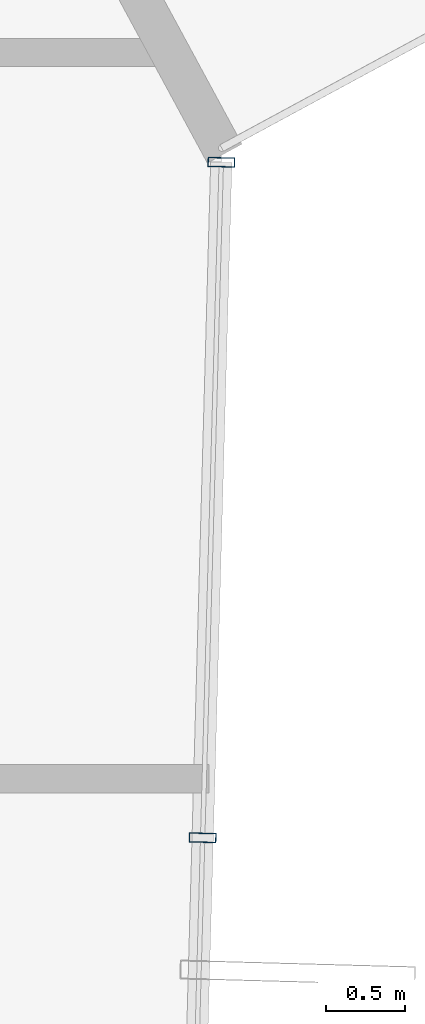
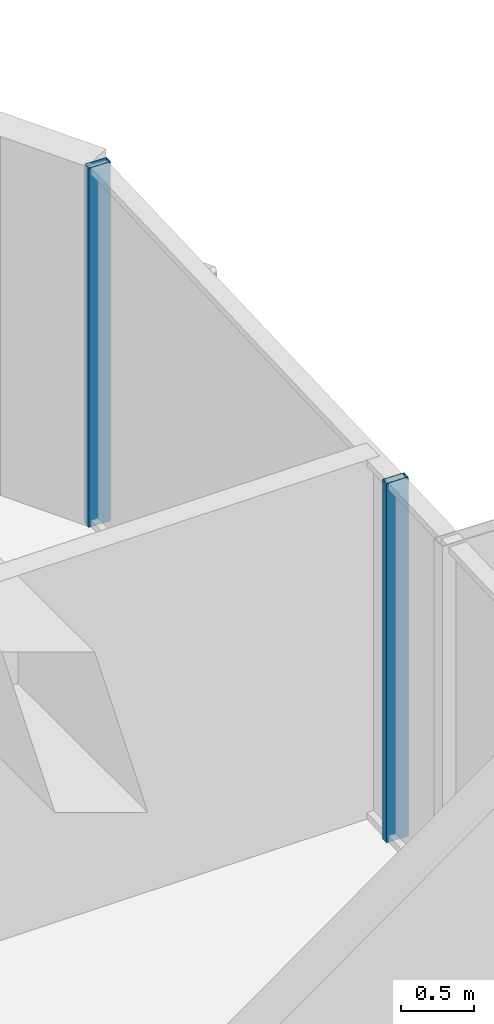
# One storey, part 16 of 30: 2 members, 1 element without a shape of its own.
"""IFC4 building model written with IfcOpenShell, lengths in metres."""

from ifc_helpers import new_model, si_unit, direction, frame, origin, origin_2d, place, context, subcontext, project, spatial, hollow_rectangle, extrude, source, transform, mapped, material, layer, layer_set, material_profile, profile_set, type_object, element, aggregate, save


model = new_model("IFC4")

# Units and contexts
model_context = context("Model", 3, precision=1e-05, world=origin(), true_north=direction((0.0, 1.0)))
body_context = subcontext(model_context, "Body", "Model", "MODEL_VIEW")
ifc_project = project(units=[si_unit("LENGTHUNIT", "METRE"), si_unit("AREAUNIT", "SQUARE_METRE"), si_unit("VOLUMEUNIT", "CUBIC_METRE"), si_unit("PLANEANGLEUNIT", "RADIAN"), si_unit("MASSUNIT", "GRAM", prefix="KILO")], contexts=[model_context])

# Site, building, storey
site_placement = place(None, origin())
site = spatial("IfcSite", under=ifc_project, at=site_placement, CompositionType="ELEMENT")
building_placement = place(site_placement, origin())
building = spatial("IfcBuilding", under=site, at=building_placement, Name="Veraguas Prism Commons", CompositionType="ELEMENT")
storey_placement = place(building_placement, frame((0.0, 0.0, 123.0)))
storey = spatial("IfcBuildingStorey", under=building, at=storey_placement, Name="L34", CompositionType="ELEMENT", Elevation=123.0)

# Curtain wall, members
ifc_material = material(Name="Anodised aluminium EN AW-6063 T6", Category="aluminium")
ifc_layer = layer(ifc_material, 0.169921875, Name="Unitised Flush Curtain Wall Zone 2", Category="aluminium")
ifc_layer_set = layer_set([ifc_layer], Name="Anodised aluminium EN AW-6063 T6")
curtain_wall_type = type_object("IfcCurtainWallType", Name="Unitised Flush Curtain Wall Zone 2", PredefinedType="NOTDEFINED", material=ifc_layer_set)
curtain_wall_placement = place(storey_placement, origin())
curtain_wall = element("IfcCurtainWall", 1, at=curtain_wall_placement, inside=storey, type_object=curtain_wall_type, Name="Tower Facade Curtain Wall L34-F6", PredefinedType="NOTDEFINED")
ifc_material_profile = material_profile(ifc_material, hollow_rectangle(XDim=0.06005859375, YDim=0.169921875, WallThickness=0.00390625, at=origin_2d()), Name="AL60X170X4")
ifc_profile_set = profile_set([ifc_material_profile], Name="Anodised aluminium EN AW-6063 T6")
member_type = type_object("IfcMemberType", Name="Curtain Wall Mullion Lower AL 60x170x4", PredefinedType="MULLION", material=ifc_profile_set)
shared_shape = source(origin(), body_context, "Body", "SweptSolid", [
    extrude(hollow_rectangle(XDim=0.06005859375, YDim=0.169921875, WallThickness=0.00390625, at=origin_2d()), origin(), (0.0, 0.0, 1.0), 3.0),
])
member_1_placement = place(storey_placement, frame((43.2939453125, 27.778076171875, 0.0), z_axis=(0.0, 0.0, 1.0), x_axis=(0.027567473277, 0.999619944988, 0.0)))
member_1 = element("IfcMember", 2, at=member_1_placement, type_object=member_type, Name="CW-Z2 Mullion 4", PredefinedType="MULLION", context=body_context, shape_type="MappedRepresentation", body=[
    mapped(shared_shape, transform((0.0, 0.0, 0.0), scale=1.0)),
])
member_2_placement = place(storey_placement, frame((43.411865234375, 32.054931640625, 0.0), z_axis=(0.0, 0.0, 1.0), x_axis=(0.027567473277, 0.999619944988, 0.0)))
member_2 = element("IfcMember", 3, at=member_2_placement, type_object=member_type, Name="CW-Z2 Mullion 5", PredefinedType="MULLION", context=body_context, shape_type="MappedRepresentation", body=[
    mapped(shared_shape, transform((0.0, 0.0, 0.0), scale=1.0)),
])
aggregate(curtain_wall, [member_1, member_2])

save(model, "model.ifc")
